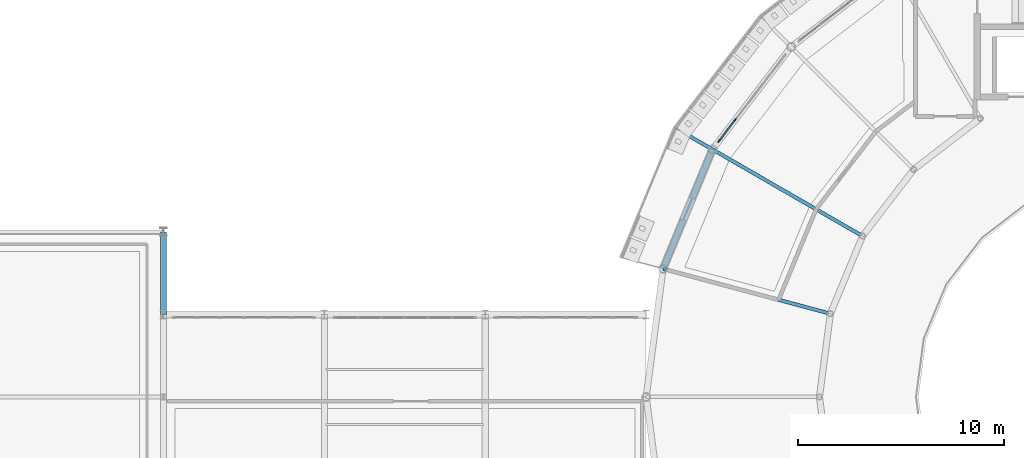
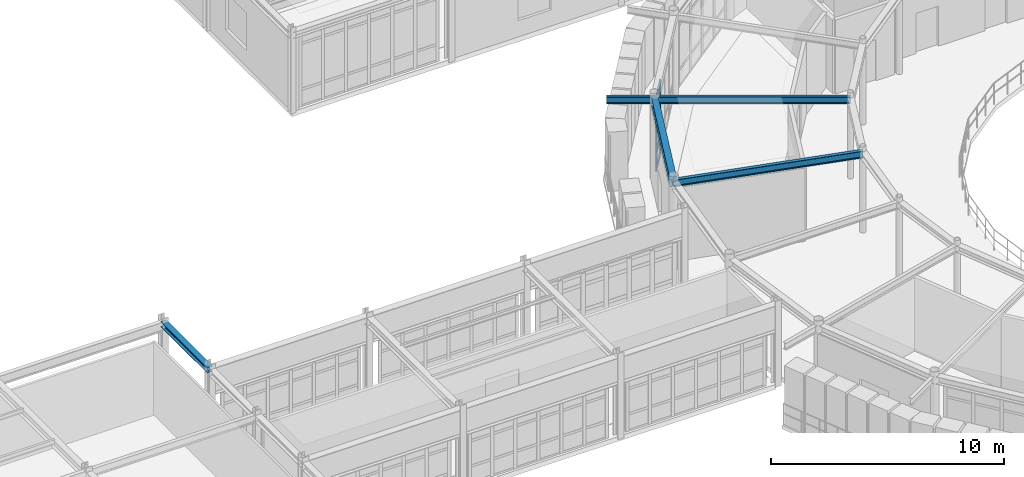
# One storey, part 48 of 106: 6 members, 4 beams, 1 element without a shape of its own.
"""IFC4 building model written with IfcOpenShell, lengths in metres."""

from ifc_helpers import new_model, si_unit, derived_unit, direction, frame, origin, origin_2d, place, context, subcontext, project, spatial, rectangle, i_section, extrude, material, layer, layer_set, material_profile, profile_set, type_object, element, aggregate, save


model = new_model("IFC4")

# Units and contexts
model_context = context("Model", 3, precision=1e-05, world=origin(), true_north=direction((0.0, 1.0)))
body_context = subcontext(model_context, "Body", "Model", "MODEL_VIEW")
ifc_project = project(units=[si_unit("LENGTHUNIT", "METRE"), si_unit("AREAUNIT", "SQUARE_METRE"), si_unit("VOLUMEUNIT", "CUBIC_METRE"), si_unit("PLANEANGLEUNIT", "RADIAN"), si_unit("MASSUNIT", "GRAM", prefix="KILO"), derived_unit("THERMALTRANSMITTANCEUNIT", [(si_unit("POWERUNIT", "WATT"), 1), (si_unit("AREAUNIT", "SQUARE_METRE"), -1), (si_unit("THERMODYNAMICTEMPERATUREUNIT", "KELVIN"), -1)])], contexts=[model_context])

# Site, building, storey
site_placement = place(None, origin())
site = spatial("IfcSite", under=ifc_project, at=site_placement, CompositionType="ELEMENT")
building_placement = place(site_placement, origin())
building = spatial("IfcBuilding", under=site, at=building_placement, Name="Yasenodar Specialist Clinic", CompositionType="ELEMENT")
storey_placement = place(building_placement, frame((0.0, 0.0, 4.5)))
storey = spatial("IfcBuildingStorey", under=building, at=storey_placement, Name="L01", CompositionType="ELEMENT", Elevation=4.5)

# Beams
ifc_material_1 = material(Name="Steel S355", Category="steel")
ifc_material_profile_1 = material_profile(ifc_material_1, i_section(OverallWidth=0.300048828125, OverallDepth=0.389892578125, WebThickness=0.010986328125, FlangeThickness=0.01904296875, FilletRadius=0.027099609375, at=origin_2d()), Name="HEA 400")
ifc_profile_set_1 = profile_set([ifc_material_profile_1], Name="Steel S355")
beam_type_1 = type_object("IfcBeamType", Name="BM-HEA400", PredefinedType="BEAM", material=ifc_profile_set_1)
beam_1_placement = place(storey_placement, frame((60.21533203125, 70.800048828125, 4.054931640625), z_axis=(-0.382663829839, -0.9238876519, 0.0), x_axis=(0.9238876519, -0.382663829839, 0.0)))
element("IfcBeam", 1, at=beam_1_placement, inside=storey, type_object=beam_type_1, Name="L01 Drum V1 Perimeter Ring Beam", PredefinedType="BEAM", context=body_context, shape_type="SweptSolid", body=[
    extrude(i_section(OverallWidth=0.300048828125, OverallDepth=0.389892578125, WebThickness=0.010986328125, FlangeThickness=0.01904296875, FilletRadius=0.027099609375, at=origin_2d()), origin(), (0.0, 0.0, 1.0), 6.26513671875),
])
ifc_material_profile_2 = material_profile(ifc_material_1, i_section(OverallWidth=0.280029296875, OverallDepth=0.280029296875, WebThickness=0.010498046875, FlangeThickness=0.01806640625, FilletRadius=0.02392578125, at=origin_2d()), Name="HEB 280")
ifc_profile_set_2 = profile_set([ifc_material_profile_2], Name="Steel S355")
beam_type_2 = type_object("IfcBeamType", Name="BM-HEB280", PredefinedType="BEAM", material=ifc_profile_set_2)
beam_2_placement = place(storey_placement, frame((33.60009765625, 62.800048828125, 4.110107421875), z_axis=(0.0, 1.0, 0.0), x_axis=(-1.0, 0.0, 0.0)))
element("IfcBeam", 2, at=beam_2_placement, inside=storey, type_object=beam_type_2, Name="L01 Primary N-S Girder", PredefinedType="BEAM", context=body_context, shape_type="SweptSolid", body=[
    extrude(i_section(OverallWidth=0.280029296875, OverallDepth=0.280029296875, WebThickness=0.010498046875, FlangeThickness=0.01806640625, FilletRadius=0.02392578125, at=origin_2d()), origin(), (0.0, 0.0, 1.0), 4.0),
])
ifc_material_profile_3 = material_profile(ifc_material_1, i_section(OverallWidth=0.169921875, OverallDepth=0.360107421875, WebThickness=0.008056640625, FlangeThickness=0.0126953125, FilletRadius=0.01806640625, at=origin_2d()), Name="IPE 360")
ifc_profile_set_3 = profile_set([ifc_material_profile_3], Name="Steel S355")
beam_type_3 = type_object("IfcBeamType", Name="BM-IPE360", PredefinedType="BEAM", material=ifc_profile_set_3)
beam_3_placement = place(storey_placement, frame((67.489990234375, 66.60009765625, 4.070068359375), z_axis=(-0.866033467715, 0.499986032603, 0.0), x_axis=(-0.499986032603, -0.866033467715, 0.0)))
element("IfcBeam", 3, at=beam_3_placement, inside=storey, type_object=beam_type_3, Name="L01 Drum V1 Radial Back-Spanned Cantilever Beam", PredefinedType="BEAM", context=body_context, shape_type="SweptSolid", body=[
    extrude(i_section(OverallWidth=0.169921875, OverallDepth=0.360107421875, WebThickness=0.008056640625, FlangeThickness=0.0126953125, FilletRadius=0.01806640625, at=origin_2d()), origin(), (0.0, 0.0, 1.0), 10.449951171875),
])
beam_4_placement = place(storey_placement, frame((65.931640625, 62.837646484375, 4.070068359375), z_axis=(-0.965925996761, 0.258818408893, 0.0), x_axis=(-0.258818408893, -0.965925996761, 0.0)))
element("IfcBeam", 4, at=beam_4_placement, inside=storey, type_object=beam_type_3, Name="L01 Drum V1 Radial Beam", PredefinedType="BEAM", context=body_context, shape_type="SweptSolid", body=[
    extrude(i_section(OverallWidth=0.169921875, OverallDepth=0.360107421875, WebThickness=0.008056640625, FlangeThickness=0.0126953125, FilletRadius=0.01806640625, at=origin_2d()), origin(), (0.0, 0.0, 1.0), 8.39990234375),
])

# Curtain wall, members
ifc_material_2 = material(Name="Bronze Anodized Aluminium and Triple Low-E Glass", Category="aluminium")
ifc_layer = layer(ifc_material_2, 0.1669921875)
ifc_layer_set = layer_set([ifc_layer], Name="Bronze Anodized Aluminium and Triple Low-E Glass")
curtain_wall_type = type_object("IfcCurtainWallType", Name="CW-SYS-01", PredefinedType="USERDEFINED", material=ifc_layer_set)
curtain_wall_placement = place(storey_placement, origin())
curtain_wall = element("IfcCurtainWall", 5, at=curtain_wall_placement, inside=storey, type_object=curtain_wall_type, Name="L01 Unitised Curtain Wall 018", ObjectType="UNITISED CURTAIN WALL", PredefinedType="USERDEFINED")
ifc_material_3 = material(Name="Bronze Anodized Aluminium", Category="aluminium")
ifc_material_profile_4 = material_profile(ifc_material_3, rectangle(XDim=0.06005859375, YDim=0.159912109375, at=origin_2d()), Name="CW-MULL 60x160")
ifc_profile_set_4 = profile_set([ifc_material_profile_4], Name="Bronze Anodized Aluminium")
member_type_1 = type_object("IfcMemberType", Name="CW-MULL-160", PredefinedType="MULLION", material=ifc_profile_set_4)
member_1_placement = place(storey_placement, frame((60.52587890625, 71.20458984375, 0.0), z_axis=(0.0, 0.0, 1.0), x_axis=(-0.793360558574, 0.608752021844, 0.0)))
member_1 = element("IfcMember", 6, at=member_1_placement, type_object=member_type_1, Name="CW-01 mullion 1", PredefinedType="MULLION", context=body_context, shape_type="SweptSolid", body=[
    extrude(rectangle(XDim=0.06005859375, YDim=0.159912109375, at=origin_2d()), origin(), (0.0, 0.0, 1.0), 3.837890625),
])
member_2_placement = place(storey_placement, frame((61.31494140625, 72.233154296875, 0.0), z_axis=(0.0, 0.0, 1.0), x_axis=(-0.793360558574, 0.608752021844, 0.0)))
member_2 = element("IfcMember", 7, at=member_2_placement, type_object=member_type_1, Name="CW-01 mullion 2", PredefinedType="MULLION", context=body_context, shape_type="SweptSolid", body=[
    extrude(rectangle(XDim=0.06005859375, YDim=0.159912109375, at=origin_2d()), origin(), (0.0, 0.0, 1.0), 3.837890625),
])
ifc_material_profile_5 = material_profile(ifc_material_3, rectangle(XDim=0.06005859375, YDim=0.1201171875, at=origin_2d()), Name="CW-TRAN 60x120")
ifc_profile_set_5 = profile_set([ifc_material_profile_5], Name="Bronze Anodized Aluminium")
member_type_2 = type_object("IfcMemberType", Name="CW-TRAN-120", PredefinedType="USERDEFINED", material=ifc_profile_set_5)
member_3_placement = place(storey_placement, frame((60.544189453125, 71.228515625, 0.030029296875), z_axis=(0.608717606417, 0.793386964626, 0.0), x_axis=(-0.793386964626, 0.608717606417, 0.0)))
member_3 = element("IfcMember", 8, at=member_3_placement, type_object=member_type_2, Name="CW-01 transom 1.1", ObjectType="TRANSOM", PredefinedType="USERDEFINED", context=body_context, shape_type="SweptSolid", body=[
    extrude(rectangle(XDim=0.06005859375, YDim=0.1201171875, at=origin_2d()), origin(), (0.0, 0.0, 1.0), 1.236083984375),
])
member_4_placement = place(storey_placement, frame((60.544189453125, 71.228515625, 0.89990234375), z_axis=(0.608717606417, 0.793386964626, 0.0), x_axis=(-0.793386964626, 0.608717606417, 0.0)))
member_4 = element("IfcMember", 9, at=member_4_placement, type_object=member_type_2, Name="CW-01 transom 1.2", ObjectType="TRANSOM", PredefinedType="USERDEFINED", context=body_context, shape_type="SweptSolid", body=[
    extrude(rectangle(XDim=0.06005859375, YDim=0.1201171875, at=origin_2d()), origin(), (0.0, 0.0, 1.0), 1.236083984375),
])
member_5_placement = place(storey_placement, frame((60.544189453125, 71.228515625, 3.238037109375), z_axis=(0.608717606417, 0.793386964626, 0.0), x_axis=(-0.793386964626, 0.608717606417, 0.0)))
member_5 = element("IfcMember", 10, at=member_5_placement, type_object=member_type_2, Name="CW-01 transom 1.3", ObjectType="TRANSOM", PredefinedType="USERDEFINED", context=body_context, shape_type="SweptSolid", body=[
    extrude(rectangle(XDim=0.06005859375, YDim=0.1201171875, at=origin_2d()), origin(), (0.0, 0.0, 1.0), 1.236083984375),
])
member_6_placement = place(storey_placement, frame((60.544189453125, 71.228515625, 3.80810546875), z_axis=(0.608717606417, 0.793386964626, 0.0), x_axis=(-0.793386964626, 0.608717606417, 0.0)))
member_6 = element("IfcMember", 11, at=member_6_placement, type_object=member_type_2, Name="CW-01 transom 1.4", ObjectType="TRANSOM", PredefinedType="USERDEFINED", context=body_context, shape_type="SweptSolid", body=[
    extrude(rectangle(XDim=0.06005859375, YDim=0.1201171875, at=origin_2d()), origin(), (0.0, 0.0, 1.0), 1.236083984375),
])
aggregate(curtain_wall, [member_1, member_2, member_3, member_4, member_5, member_6])

save(model, "model.ifc")
